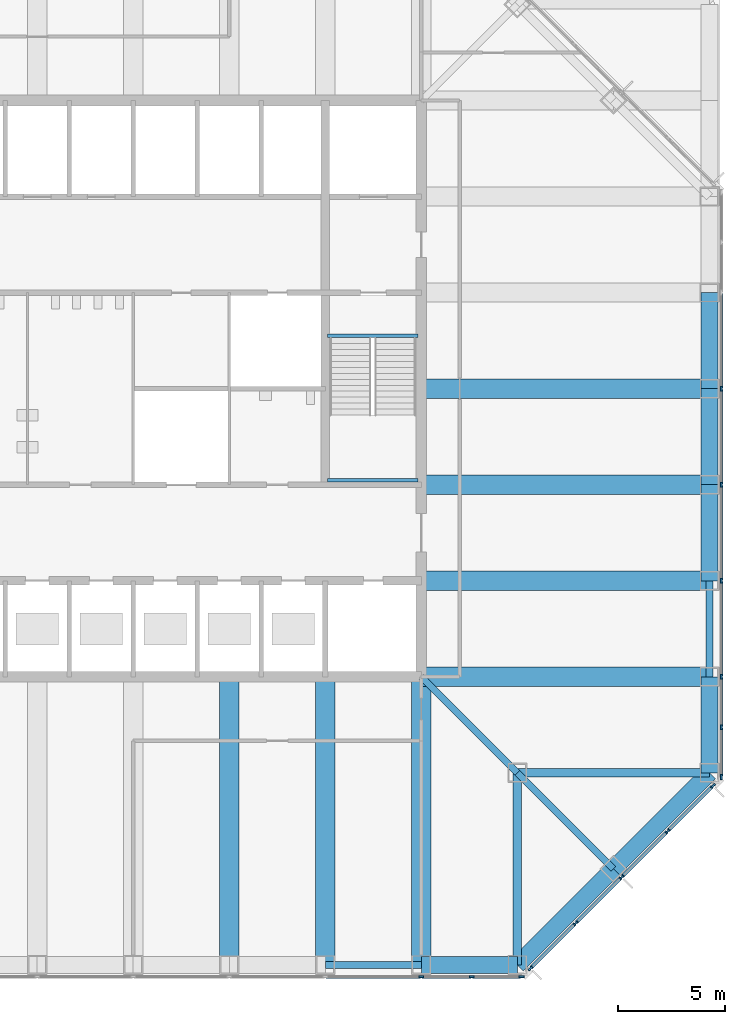
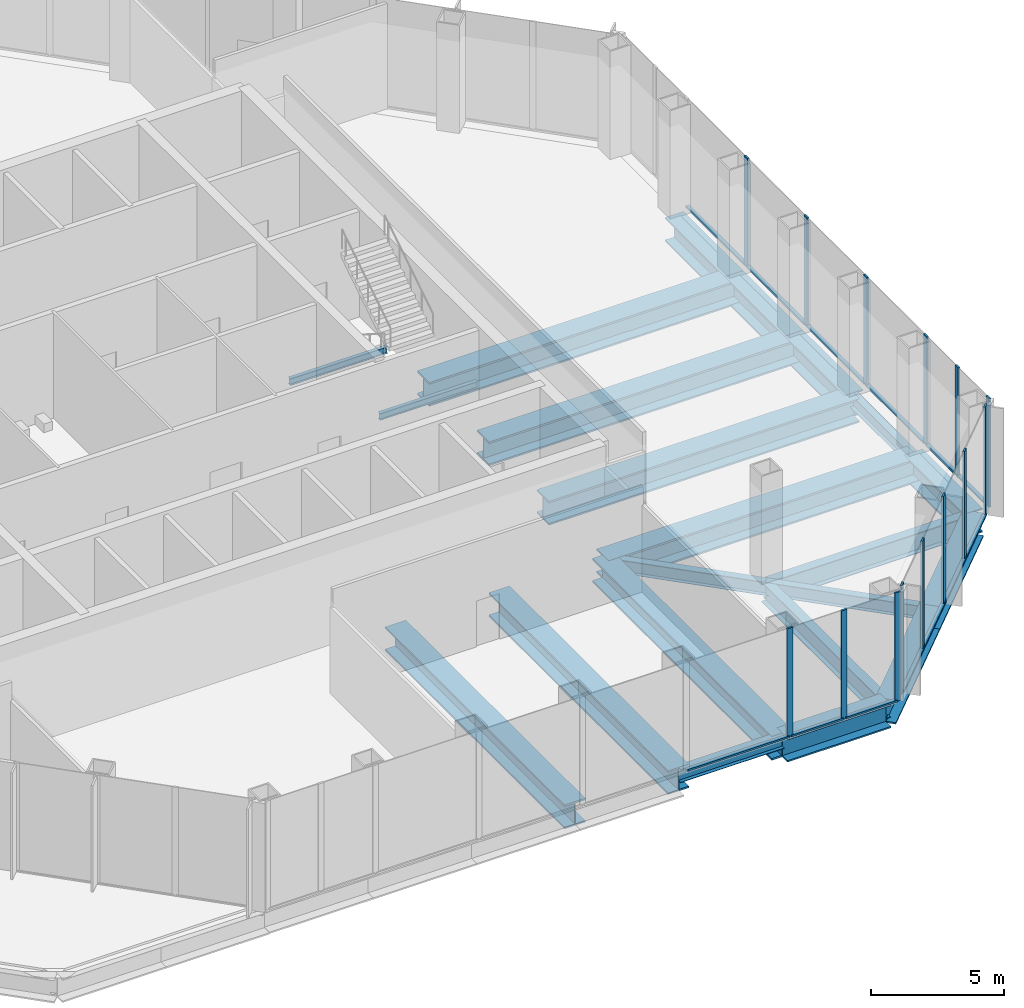
# One storey, part 3 of 12: 27 members, 22 beams, 3 elements without a shape of their own.
"""IFC4 building model written with IfcOpenShell, lengths in metres."""

from ifc_helpers import new_model, si_unit, direction, frame, origin, origin_2d, place, context, subcontext, project, spatial, rectangle, i_section, extrude, material, material_profile, profile_set, type_object, element, aggregate, save


model = new_model("IFC4")

# Units and contexts
model_context = context("Model", 3, precision=1e-05, world=origin(), true_north=direction((0.0, 1.0)))
body_context = subcontext(model_context, "Body", "Model", "MODEL_VIEW")
ifc_project = project(units=[si_unit("LENGTHUNIT", "METRE"), si_unit("AREAUNIT", "SQUARE_METRE"), si_unit("VOLUMEUNIT", "CUBIC_METRE"), si_unit("PLANEANGLEUNIT", "RADIAN"), si_unit("MASSUNIT", "GRAM", prefix="KILO")], contexts=[model_context])

# Site, building, storey
site_placement = place(None, origin())
site = spatial("IfcSite", under=ifc_project, at=site_placement, CompositionType="ELEMENT")
building_placement = place(site_placement, origin())
building = spatial("IfcBuilding", under=site, at=building_placement, Name="Corais Broadcast Tower", CompositionType="ELEMENT")
storey_placement = place(building_placement, frame((0.0, 0.0, 110.60009765625)))
storey = spatial("IfcBuildingStorey", under=building, at=storey_placement, Name="L24", CompositionType="ELEMENT", Elevation=110.60009765625)

# Beams
ifc_material_1 = material(Name="Steel ASTM A572 Grade 50", Category="steel")
ifc_material_profile_1 = material_profile(ifc_material_1, i_section(OverallWidth=0.323974609375, OverallDepth=0.611083984375, WebThickness=0.0126953125, FlangeThickness=0.01904296875, at=origin_2d()), Name="W610x155")
ifc_profile_set_1 = profile_set([ifc_material_profile_1], Name="Steel ASTM A572 Grade 50")
beam_type_1 = type_object("IfcBeamType", Name="Chamfer tie W610x155", PredefinedType="BEAM", material=ifc_profile_set_1)
beam_1_placement = place(storey_placement, frame((49.5, 4.5, -0.485595703125), z_axis=(-0.707106781187, 0.707106781187, 0.0), x_axis=(-0.707106781187, -0.707106781187, 0.0)))
element("IfcBeam", 1, at=beam_1_placement, inside=storey, type_object=beam_type_1, Name="B5 B/14 to C/13", PredefinedType="BEAM", context=body_context, shape_type="SweptSolid", body=[
    extrude(i_section(OverallWidth=0.323974609375, OverallDepth=0.611083984375, WebThickness=0.0126953125, FlangeThickness=0.01904296875, at=origin_2d()), origin(), (0.0, 0.0, 1.0), 6.364013671875),
])
ifc_material_2 = material(Name="Steel ASTM A572 Grade 50", Category="steel")
ifc_material_profile_2 = material_profile(ifc_material_2, i_section(OverallWidth=0.323974609375, OverallDepth=0.611083984375, WebThickness=0.0126953125, FlangeThickness=0.01904296875, at=origin_2d()), Name="W610x155")
ifc_profile_set_2 = profile_set([ifc_material_profile_2], Name="Steel ASTM A572 Grade 50")
beam_type_2 = type_object("IfcBeamType", Name="Corner diagonal W610x155", PredefinedType="BEAM", material=ifc_profile_set_2)
beam_2_placement = place(storey_placement, frame((45.0, 9.0, -0.485595703125), z_axis=(-0.707106781187, 0.707106781187, 0.0), x_axis=(-0.707106781187, -0.707106781187, 0.0)))
element("IfcBeam", 2, at=beam_2_placement, inside=storey, type_object=beam_type_2, Name="B6 C/13 to D/12", PredefinedType="BEAM", context=body_context, shape_type="SweptSolid", body=[
    extrude(i_section(OverallWidth=0.323974609375, OverallDepth=0.611083984375, WebThickness=0.0126953125, FlangeThickness=0.01904296875, at=origin_2d()), origin(), (0.0, 0.0, 1.0), 6.364013671875),
])
ifc_material_3 = material(Name="Steel ASTM A572 Grade 50", Category="steel")
ifc_material_profile_3 = material_profile(ifc_material_3, i_section(OverallWidth=0.1650390625, OverallDepth=0.31005859375, WebThickness=0.005859375, FlangeThickness=0.009765625, at=origin_2d()), Name="W310x38.7")
ifc_profile_set_3 = profile_set([ifc_material_profile_3], Name="Steel ASTM A572 Grade 50")
beam_type_3 = type_object("IfcBeamType", Name="Landing trimmer W310x38.7", PredefinedType="BEAM", material=ifc_profile_set_3)
for number, where, z_axis, x_axis, name in (
    (3, (36.10009765625, 29.47509765625, -0.35498046875), (1.0, 0.0, 0.0), (0.0, 1.0, 0.0), "LT1 stair B landing trimmer L24"),
    (4, (36.10009765625, 22.715087890625, 2.14501953125), (1.0, 0.0, 0.0), (0.0, 1.0, 0.0), "LT1 stair B half landing trimmer L24"),
):
    element("IfcBeam", number, at=place(storey_placement, frame(where, z_axis=z_axis, x_axis=x_axis)), inside=storey, type_object=beam_type_3, Name=name, PredefinedType="BEAM", context=body_context, shape_type="SweptSolid", body=[
        extrude(i_section(OverallWidth=0.1650390625, OverallDepth=0.31005859375, WebThickness=0.005859375, FlangeThickness=0.009765625, at=origin_2d()), origin(), (0.0, 0.0, 1.0), 4.25),
    ])

# Curtain wall, members
ifc_material_4 = material(Name="Aluminium and glass", Category="aluminium")
curtain_wall_type = type_object("IfcCurtainWallType", Name="Sky lobby curtain wall CW4", PredefinedType="NOTDEFINED", material=ifc_material_4)
curtain_wall_1_placement = place(storey_placement, origin())
curtain_wall_1 = element("IfcCurtainWall", 5, at=curtain_wall_1_placement, inside=storey, type_object=curtain_wall_type, Name="CW4 curtain wall L24 6", PredefinedType="NOTDEFINED")
ifc_material_5 = material(Name="Aluminium 6063-T6", Category="aluminium")
ifc_material_profile_4 = material_profile(ifc_material_5, rectangle(XDim=0.080078125, YDim=0.25, at=origin_2d()), Name="Mullion CW4 80x250")
ifc_profile_set_4 = profile_set([ifc_material_profile_4], Name="Aluminium 6063-T6")
member_type_1 = type_object("IfcMemberType", Name="Mullion CW4 80x250", PredefinedType="MULLION", material=ifc_profile_set_4)
member_1_placement = place(storey_placement, frame((54.550048828125, 27.0, 0.0), z_axis=(0.0, 0.0, 1.0), x_axis=(1.0, 0.0, 0.0)))
member_1 = element("IfcMember", 6, at=member_1_placement, type_object=member_type_1, Name="CW4 mullion 4", PredefinedType="MULLION", context=body_context, shape_type="SweptSolid", body=[
    extrude(rectangle(XDim=0.080078125, YDim=0.25, at=origin_2d()), origin(), (0.0, 0.0, 1.0), 5.0),
])
member_2_placement = place(storey_placement, frame((54.550048828125, 22.5, 0.0), z_axis=(0.0, 0.0, 1.0), x_axis=(1.0, 0.0, 0.0)))
member_2 = element("IfcMember", 7, at=member_2_placement, type_object=member_type_1, Name="CW4 mullion 5", PredefinedType="MULLION", context=body_context, shape_type="SweptSolid", body=[
    extrude(rectangle(XDim=0.080078125, YDim=0.25, at=origin_2d()), origin(), (0.0, 0.0, 1.0), 5.0),
])
member_3_placement = place(storey_placement, frame((54.550048828125, 18.0, 0.0), z_axis=(0.0, 0.0, 1.0), x_axis=(1.0, 0.0, 0.0)))
member_3 = element("IfcMember", 8, at=member_3_placement, type_object=member_type_1, Name="CW4 mullion 6", PredefinedType="MULLION", context=body_context, shape_type="SweptSolid", body=[
    extrude(rectangle(XDim=0.080078125, YDim=0.25, at=origin_2d()), origin(), (0.0, 0.0, 1.0), 5.0),
])
member_4_placement = place(storey_placement, frame((54.550048828125, 13.5, 0.0), z_axis=(0.0, 0.0, 1.0), x_axis=(1.0, 0.0, 0.0)))
member_4 = element("IfcMember", 9, at=member_4_placement, type_object=member_type_1, Name="CW4 mullion 7", PredefinedType="MULLION", context=body_context, shape_type="SweptSolid", body=[
    extrude(rectangle(XDim=0.080078125, YDim=0.25, at=origin_2d()), origin(), (0.0, 0.0, 1.0), 5.0),
])
member_5_placement = place(storey_placement, frame((54.550048828125, 11.135986328125, 0.0), z_axis=(0.0, 0.0, 1.0), x_axis=(1.0, 0.0, 0.0)))
member_5 = element("IfcMember", 10, at=member_5_placement, type_object=member_type_1, Name="CW4 mullion 8", PredefinedType="MULLION", context=body_context, shape_type="SweptSolid", body=[
    extrude(rectangle(XDim=0.080078125, YDim=0.25, at=origin_2d()), origin(), (0.0, 0.0, 1.0), 5.0),
])
member_6_placement = place(storey_placement, frame((54.550048828125, 8.812255859375, 0.0), z_axis=(0.0, 0.0, 1.0), x_axis=(1.0, 0.0, 0.0)))
member_6 = element("IfcMember", 11, at=member_6_placement, type_object=member_type_1, Name="CW4 mullion 9", PredefinedType="MULLION", context=body_context, shape_type="SweptSolid", body=[
    extrude(rectangle(XDim=0.080078125, YDim=0.25, at=origin_2d()), origin(), (0.0, 0.0, 1.0), 5.0),
])

curtain_wall_2_placement = place(storey_placement, origin())
curtain_wall_2 = element("IfcCurtainWall", 12, at=curtain_wall_2_placement, inside=storey, type_object=curtain_wall_type, Name="CW4 curtain wall L24 7", PredefinedType="NOTDEFINED")
member_7_placement = place(storey_placement, frame((54.168212890625, 8.390380859375, 0.0), z_axis=(0.0, 0.0, 1.0), x_axis=(0.707106781187, -0.707106781187, 0.0)))
member_7 = element("IfcMember", 13, at=member_7_placement, type_object=member_type_1, Name="CW4 mullion 1", PredefinedType="MULLION", context=body_context, shape_type="SweptSolid", body=[
    extrude(rectangle(XDim=0.080078125, YDim=0.25, at=origin_2d()), origin(), (0.0, 0.0, 1.0), 5.0),
])
member_8_placement = place(storey_placement, frame((52.042724609375, 6.264892578125, 0.0), z_axis=(0.0, 0.0, 1.0), x_axis=(0.707106781187, -0.707106781187, 0.0)))
member_8 = element("IfcMember", 14, at=member_8_placement, type_object=member_type_1, Name="CW4 mullion 2", PredefinedType="MULLION", context=body_context, shape_type="SweptSolid", body=[
    extrude(rectangle(XDim=0.080078125, YDim=0.25, at=origin_2d()), origin(), (0.0, 0.0, 1.0), 5.0),
])
member_9_placement = place(storey_placement, frame((49.888916015625, 4.111083984375, 0.0), z_axis=(0.0, 0.0, 1.0), x_axis=(0.707106781187, -0.707106781187, 0.0)))
member_9 = element("IfcMember", 15, at=member_9_placement, type_object=member_type_1, Name="CW4 mullion 3", PredefinedType="MULLION", context=body_context, shape_type="SweptSolid", body=[
    extrude(rectangle(XDim=0.080078125, YDim=0.25, at=origin_2d()), origin(), (0.0, 0.0, 1.0), 5.0),
])
member_10_placement = place(storey_placement, frame((47.735107421875, 1.957275390625, 0.0), z_axis=(0.0, 0.0, 1.0), x_axis=(0.707106781187, -0.707106781187, 0.0)))
member_10 = element("IfcMember", 16, at=member_10_placement, type_object=member_type_1, Name="CW4 mullion 4", PredefinedType="MULLION", context=body_context, shape_type="SweptSolid", body=[
    extrude(rectangle(XDim=0.080078125, YDim=0.25, at=origin_2d()), origin(), (0.0, 0.0, 1.0), 5.0),
])
member_11_placement = place(storey_placement, frame((45.609619140625, -0.168212890625, 0.0), z_axis=(0.0, 0.0, 1.0), x_axis=(0.707106781187, -0.707106781187, 0.0)))
member_11 = element("IfcMember", 17, at=member_11_placement, type_object=member_type_1, Name="CW4 mullion 5", PredefinedType="MULLION", context=body_context, shape_type="SweptSolid", body=[
    extrude(rectangle(XDim=0.080078125, YDim=0.25, at=origin_2d()), origin(), (0.0, 0.0, 1.0), 5.0),
])

curtain_wall_3_placement = place(storey_placement, origin())
curtain_wall_3 = element("IfcCurtainWall", 18, at=curtain_wall_3_placement, inside=storey, type_object=curtain_wall_type, Name="CW4 curtain wall L24 8", PredefinedType="NOTDEFINED")
member_12_placement = place(storey_placement, frame((45.187744140625, -0.550048828125, 0.0), z_axis=(0.0, 0.0, 1.0), x_axis=(0.0, -1.0, 0.0)))
member_12 = element("IfcMember", 19, at=member_12_placement, type_object=member_type_1, Name="CW4 mullion 1", PredefinedType="MULLION", context=body_context, shape_type="SweptSolid", body=[
    extrude(rectangle(XDim=0.080078125, YDim=0.25, at=origin_2d()), origin(), (0.0, 0.0, 1.0), 5.0),
])
member_13_placement = place(storey_placement, frame((42.864013671875, -0.550048828125, 0.0), z_axis=(0.0, 0.0, 1.0), x_axis=(0.0, -1.0, 0.0)))
member_13 = element("IfcMember", 20, at=member_13_placement, type_object=member_type_1, Name="CW4 mullion 2", PredefinedType="MULLION", context=body_context, shape_type="SweptSolid", body=[
    extrude(rectangle(XDim=0.080078125, YDim=0.25, at=origin_2d()), origin(), (0.0, 0.0, 1.0), 5.0),
])
member_14_placement = place(storey_placement, frame((40.5, -0.550048828125, 0.0), z_axis=(0.0, 0.0, 1.0), x_axis=(0.0, -1.0, 0.0)))
member_14 = element("IfcMember", 21, at=member_14_placement, type_object=member_type_1, Name="CW4 mullion 3", PredefinedType="MULLION", context=body_context, shape_type="SweptSolid", body=[
    extrude(rectangle(XDim=0.080078125, YDim=0.25, at=origin_2d()), origin(), (0.0, 0.0, 1.0), 5.0),
])

# Beams
ifc_material_6 = material(Name="Steel ASTM A572 Grade 50", Category="steel")
ifc_material_profile_5 = material_profile(ifc_material_6, i_section(OverallWidth=0.323974609375, OverallDepth=0.611083984375, WebThickness=0.0126953125, FlangeThickness=0.01904296875, at=origin_2d()), Name="W610x155")
ifc_profile_set_5 = profile_set([ifc_material_profile_5], Name="Steel ASTM A572 Grade 50")
beam_type_4 = type_object("IfcBeamType", Name="Pinned spandrel W610x155", PredefinedType="BEAM", material=ifc_profile_set_5)
for number, where, z_axis, x_axis, name in (
    (22, (36.0, 0.0, -0.485595703125), (1.0, 0.0, 0.0), (0.0, 1.0, 0.0), "SB6 A/11 to A/12"),
    (23, (54.0, 13.5, -0.485595703125), (0.0, 1.0, 0.0), (-1.0, 0.0, 0.0), "SB6 D/15 to E/15"),
):
    element("IfcBeam", number, at=place(storey_placement, frame(where, z_axis=z_axis, x_axis=x_axis)), inside=storey, type_object=beam_type_4, Name=name, PredefinedType="BEAM", context=body_context, shape_type="SweptSolid", body=[
        extrude(i_section(OverallWidth=0.323974609375, OverallDepth=0.611083984375, WebThickness=0.0126953125, FlangeThickness=0.01904296875, at=origin_2d()), origin(), (0.0, 0.0, 1.0), 4.5),
    ])
ifc_material_7 = material(Name="Steel ASTM A572 Grade 50", Category="steel")
ifc_material_profile_6 = material_profile(ifc_material_7, i_section(OverallWidth=0.408935546875, OverallDepth=0.927001953125, WebThickness=0.0166015625, FlangeThickness=0.030029296875, at=origin_2d()), Name="W920x289")
ifc_profile_set_6 = profile_set([ifc_material_profile_6], Name="Steel ASTM A572 Grade 50")
beam_type_5 = type_object("IfcBeamType", Name="Transfer corner girder W920x289", PredefinedType="BEAM", material=ifc_profile_set_6)
for number, where, z_axis, x_axis, name in (
    (24, (45.0, 0.0, -0.6435546875), (0.0, 1.0, 0.0), (-1.0, 0.0, 0.0), "B14 A/13 to C/13"),
    (25, (54.0, 9.0, -0.6435546875), (-1.0, 0.0, 0.0), (0.0, -1.0, 0.0), "B14 C/15 to C/13"),
):
    element("IfcBeam", number, at=place(storey_placement, frame(where, z_axis=z_axis, x_axis=x_axis)), inside=storey, type_object=beam_type_5, Name=name, PredefinedType="BEAM", context=body_context, shape_type="SweptSolid", body=[
        extrude(i_section(OverallWidth=0.408935546875, OverallDepth=0.927001953125, WebThickness=0.0166015625, FlangeThickness=0.030029296875, at=origin_2d()), origin(), (0.0, 0.0, 1.0), 9.0),
    ])
ifc_material_8 = material(Name="Steel ASTM A572 Grade 50", Category="steel")
ifc_material_profile_7 = material_profile(ifc_material_8, i_section(OverallWidth=0.89990234375, OverallDepth=1.10009765625, WebThickness=0.030029296875, FlangeThickness=0.080078125, at=origin_2d()), Name="PG1100x1352")
ifc_profile_set_7 = profile_set([ifc_material_profile_7], Name="Steel ASTM A572 Grade 50")
beam_type_6 = type_object("IfcBeamType", Name="Transfer floor beam PG1100x1352", PredefinedType="BEAM", material=ifc_profile_set_7)
for number, where, z_axis, x_axis, name in (
    (26, (31.5, 0.0, -0.72998046875), (0.0, 1.0, 0.0), (-1.0, 0.0, 0.0), "B10 A/10 to D/10"),
    (27, (36.0, 0.0, -0.72998046875), (0.0, 1.0, 0.0), (-1.0, 0.0, 0.0), "B10 A/11 to D/11"),
    (28, (40.5, 0.0, -0.72998046875), (0.0, 1.0, 0.0), (-1.0, 0.0, 0.0), "B10 A/12 to D/12"),
    (29, (54.0, 13.5, -0.72998046875), (-1.0, 0.0, 0.0), (0.0, -1.0, 0.0), "B10 D/15 to D/12"),
    (30, (54.0, 18.0, -0.72998046875), (-1.0, 0.0, 0.0), (0.0, -1.0, 0.0), "B10 E/15 to E/12"),
    (31, (54.0, 22.5, -0.72998046875), (-1.0, 0.0, 0.0), (0.0, -1.0, 0.0), "B10 F/15 to F/12"),
    (32, (54.0, 27.0, -0.72998046875), (-1.0, 0.0, 0.0), (0.0, -1.0, 0.0), "B10 G/15 to G/12"),
):
    element("IfcBeam", number, at=place(storey_placement, frame(where, z_axis=z_axis, x_axis=x_axis)), inside=storey, type_object=beam_type_6, Name=name, PredefinedType="BEAM", context=body_context, shape_type="SweptSolid", body=[
        extrude(i_section(OverallWidth=0.89990234375, OverallDepth=1.10009765625, WebThickness=0.030029296875, FlangeThickness=0.080078125, at=origin_2d()), origin(), (0.0, 0.0, 1.0), 13.5),
    ])
ifc_material_9 = material(Name="Steel ASTM A572 Grade 50", Category="steel")
ifc_material_profile_8 = material_profile(ifc_material_9, i_section(OverallWidth=0.800048828125, OverallDepth=1.10009765625, WebThickness=0.030029296875, FlangeThickness=0.070068359375, at=origin_2d()), Name="PG1100x1105")
ifc_profile_set_8 = profile_set([ifc_material_profile_8], Name="Steel ASTM A572 Grade 50")
beam_type_7 = type_object("IfcBeamType", Name="Transfer spandrel PG1100x1105", PredefinedType="BEAM", material=ifc_profile_set_8)
beam_3_placement = place(storey_placement, frame((40.5, 0.0, -0.72998046875), z_axis=(1.0, 0.0, 0.0), x_axis=(0.0, 1.0, 0.0)))
element("IfcBeam", 33, at=beam_3_placement, inside=storey, type_object=beam_type_7, Name="SB8 A/12 to A/13", PredefinedType="BEAM", context=body_context, shape_type="SweptSolid", body=[
    extrude(i_section(OverallWidth=0.800048828125, OverallDepth=1.10009765625, WebThickness=0.030029296875, FlangeThickness=0.070068359375, at=origin_2d()), origin(), (0.0, 0.0, 1.0), 4.5),
])
for number, where, z_axis, x_axis, name in (
    (34, (45.0, 0.0, -0.72998046875), (0.707106781187, 0.707106781187, 0.0), (-0.707106781187, 0.707106781187, 0.0), "SB8 A/13 to B/14"),
    (35, (49.5, 4.5, -0.72998046875), (0.707106781187, 0.707106781187, 0.0), (-0.707106781187, 0.707106781187, 0.0), "SB8 B/14 to C/15"),
):
    element("IfcBeam", number, at=place(storey_placement, frame(where, z_axis=z_axis, x_axis=x_axis)), inside=storey, type_object=beam_type_7, Name=name, PredefinedType="BEAM", context=body_context, shape_type="SweptSolid", body=[
        extrude(i_section(OverallWidth=0.800048828125, OverallDepth=1.10009765625, WebThickness=0.030029296875, FlangeThickness=0.070068359375, at=origin_2d()), origin(), (0.0, 0.0, 1.0), 6.364013671875),
    ])
for number, where, z_axis, x_axis, name in (
    (36, (54.0, 18.0, -0.72998046875), (0.0, 1.0, 0.0), (-1.0, 0.0, 0.0), "SB8 E/15 to F/15"),
    (37, (54.0, 22.5, -0.72998046875), (0.0, 1.0, 0.0), (-1.0, 0.0, 0.0), "SB8 F/15 to G/15"),
    (38, (54.0, 27.0, -0.72998046875), (0.0, 1.0, 0.0), (-1.0, 0.0, 0.0), "SB8 G/15 to H/15"),
    (39, (54.0, 9.0, -0.72998046875), (0.0, 1.0, 0.0), (-1.0, 0.0, 0.0), "SB8 C/15 to D/15"),
):
    element("IfcBeam", number, at=place(storey_placement, frame(where, z_axis=z_axis, x_axis=x_axis)), inside=storey, type_object=beam_type_7, Name=name, PredefinedType="BEAM", context=body_context, shape_type="SweptSolid", body=[
        extrude(i_section(OverallWidth=0.800048828125, OverallDepth=1.10009765625, WebThickness=0.030029296875, FlangeThickness=0.070068359375, at=origin_2d()), origin(), (0.0, 0.0, 1.0), 4.5),
    ])

# Member
ifc_material_10 = material(Name="Aluminium 6063-T6", Category="aluminium")
ifc_material_profile_9 = material_profile(ifc_material_10, rectangle(XDim=0.159912109375, YDim=0.080078125, at=origin_2d()), Name="Transom CW4 80x160")
ifc_profile_set_9 = profile_set([ifc_material_profile_9], Name="Aluminium 6063-T6")
member_type_2 = type_object("IfcMemberType", Name="Transom CW4 80x160", PredefinedType="USERDEFINED", material=ifc_profile_set_9)
member_15_placement = place(storey_placement, frame((54.550048828125, 31.4599609375, 0.039794921875), z_axis=(0.0, -1.0, 0.0), x_axis=(1.0, 0.0, 0.0)))
member_15 = element("IfcMember", 40, at=member_15_placement, type_object=member_type_2, Name="CW4 transom 3.1", ObjectType="TRANSOM", PredefinedType="USERDEFINED", context=body_context, shape_type="SweptSolid", body=[
    extrude(rectangle(XDim=0.159912109375, YDim=0.080078125, at=origin_2d()), origin(), (0.0, 0.0, 1.0), 4.419921875),
])

member_16_placement = place(storey_placement, frame((54.550048828125, 26.9599609375, 0.039794921875), z_axis=(0.0, -1.0, 0.0), x_axis=(1.0, 0.0, 0.0)))
member_16 = element("IfcMember", 41, at=member_16_placement, type_object=member_type_2, Name="CW4 transom 4.1", ObjectType="TRANSOM", PredefinedType="USERDEFINED", context=body_context, shape_type="SweptSolid", body=[
    extrude(rectangle(XDim=0.159912109375, YDim=0.080078125, at=origin_2d()), origin(), (0.0, 0.0, 1.0), 4.419921875),
])

member_17_placement = place(storey_placement, frame((54.550048828125, 22.4599609375, 0.039794921875), z_axis=(0.0, -1.0, 0.0), x_axis=(1.0, 0.0, 0.0)))
member_17 = element("IfcMember", 42, at=member_17_placement, type_object=member_type_2, Name="CW4 transom 5.1", ObjectType="TRANSOM", PredefinedType="USERDEFINED", context=body_context, shape_type="SweptSolid", body=[
    extrude(rectangle(XDim=0.159912109375, YDim=0.080078125, at=origin_2d()), origin(), (0.0, 0.0, 1.0), 4.419921875),
])

member_18_placement = place(storey_placement, frame((54.550048828125, 17.9599609375, 0.039794921875), z_axis=(0.0, -1.0, 0.0), x_axis=(1.0, 0.0, 0.0)))
member_18 = element("IfcMember", 43, at=member_18_placement, type_object=member_type_2, Name="CW4 transom 6.1", ObjectType="TRANSOM", PredefinedType="USERDEFINED", context=body_context, shape_type="SweptSolid", body=[
    extrude(rectangle(XDim=0.159912109375, YDim=0.080078125, at=origin_2d()), origin(), (0.0, 0.0, 1.0), 4.419921875),
])

member_19_placement = place(storey_placement, frame((54.550048828125, 13.4599609375, 0.039794921875), z_axis=(0.0, -1.0, 0.0), x_axis=(1.0, 0.0, 0.0)))
member_19 = element("IfcMember", 44, at=member_19_placement, type_object=member_type_2, Name="CW4 transom 7.1", ObjectType="TRANSOM", PredefinedType="USERDEFINED", context=body_context, shape_type="SweptSolid", body=[
    extrude(rectangle(XDim=0.159912109375, YDim=0.080078125, at=origin_2d()), origin(), (0.0, 0.0, 1.0), 2.283935546875),
])

member_20_placement = place(storey_placement, frame((54.550048828125, 11.09619140625, 0.039794921875), z_axis=(0.0, -1.0, 0.0), x_axis=(1.0, 0.0, 0.0)))
member_20 = element("IfcMember", 45, at=member_20_placement, type_object=member_type_2, Name="CW4 transom 8.1", ObjectType="TRANSOM", PredefinedType="USERDEFINED", context=body_context, shape_type="SweptSolid", body=[
    extrude(rectangle(XDim=0.159912109375, YDim=0.080078125, at=origin_2d()), origin(), (0.0, 0.0, 1.0), 2.243896484375),
])

aggregate(curtain_wall_1, [member_1, member_2, member_3, member_4, member_5, member_6, member_15, member_16, member_17, member_18, member_19, member_20])

member_21_placement = place(storey_placement, frame((54.139892578125, 8.362060546875, 0.039794921875), z_axis=(-0.707106781187, -0.707106781187, 0.0), x_axis=(0.707106781187, -0.707106781187, 0.0)))
member_21 = element("IfcMember", 46, at=member_21_placement, type_object=member_type_2, Name="CW4 transom 1.1", ObjectType="TRANSOM", PredefinedType="USERDEFINED", context=body_context, shape_type="SweptSolid", body=[
    extrude(rectangle(XDim=0.159912109375, YDim=0.080078125, at=origin_2d()), origin(), (0.0, 0.0, 1.0), 2.92578125),
])

member_22_placement = place(storey_placement, frame((52.014404296875, 6.236572265625, 0.039794921875), z_axis=(-0.707106781187, -0.707106781187, 0.0), x_axis=(0.707106781187, -0.707106781187, 0.0)))
member_22 = element("IfcMember", 47, at=member_22_placement, type_object=member_type_2, Name="CW4 transom 2.1", ObjectType="TRANSOM", PredefinedType="USERDEFINED", context=body_context, shape_type="SweptSolid", body=[
    extrude(rectangle(XDim=0.159912109375, YDim=0.080078125, at=origin_2d()), origin(), (0.0, 0.0, 1.0), 2.9658203125),
])

member_23_placement = place(storey_placement, frame((49.860595703125, 4.082763671875, 0.039794921875), z_axis=(-0.707106781187, -0.707106781187, 0.0), x_axis=(0.707106781187, -0.707106781187, 0.0)))
member_23 = element("IfcMember", 48, at=member_23_placement, type_object=member_type_2, Name="CW4 transom 3.1", ObjectType="TRANSOM", PredefinedType="USERDEFINED", context=body_context, shape_type="SweptSolid", body=[
    extrude(rectangle(XDim=0.159912109375, YDim=0.080078125, at=origin_2d()), origin(), (0.0, 0.0, 1.0), 2.9658203125),
])

member_24_placement = place(storey_placement, frame((47.706787109375, 1.928955078125, 0.039794921875), z_axis=(-0.707106781187, -0.707106781187, 0.0), x_axis=(0.707106781187, -0.707106781187, 0.0)))
member_24 = element("IfcMember", 49, at=member_24_placement, type_object=member_type_2, Name="CW4 transom 4.1", ObjectType="TRANSOM", PredefinedType="USERDEFINED", context=body_context, shape_type="SweptSolid", body=[
    extrude(rectangle(XDim=0.159912109375, YDim=0.080078125, at=origin_2d()), origin(), (0.0, 0.0, 1.0), 2.92578125),
])

aggregate(curtain_wall_2, [member_7, member_8, member_9, member_10, member_11, member_21, member_22, member_23, member_24])

member_25_placement = place(storey_placement, frame((45.147705078125, -0.550048828125, 0.039794921875), z_axis=(-1.0, 0.0, 0.0), x_axis=(0.0, -1.0, 0.0)))
member_25 = element("IfcMember", 50, at=member_25_placement, type_object=member_type_2, Name="CW4 transom 1.1", ObjectType="TRANSOM", PredefinedType="USERDEFINED", context=body_context, shape_type="SweptSolid", body=[
    extrude(rectangle(XDim=0.159912109375, YDim=0.080078125, at=origin_2d()), origin(), (0.0, 0.0, 1.0), 2.243896484375),
])

member_26_placement = place(storey_placement, frame((42.823974609375, -0.550048828125, 0.039794921875), z_axis=(-1.0, 0.0, 0.0), x_axis=(0.0, -1.0, 0.0)))
member_26 = element("IfcMember", 51, at=member_26_placement, type_object=member_type_2, Name="CW4 transom 2.1", ObjectType="TRANSOM", PredefinedType="USERDEFINED", context=body_context, shape_type="SweptSolid", body=[
    extrude(rectangle(XDim=0.159912109375, YDim=0.080078125, at=origin_2d()), origin(), (0.0, 0.0, 1.0), 2.283935546875),
])

member_27_placement = place(storey_placement, frame((40.4599609375, -0.550048828125, 0.039794921875), z_axis=(-1.0, 0.0, 0.0), x_axis=(0.0, -1.0, 0.0)))
member_27 = element("IfcMember", 52, at=member_27_placement, type_object=member_type_2, Name="CW4 transom 3.1", ObjectType="TRANSOM", PredefinedType="USERDEFINED", context=body_context, shape_type="SweptSolid", body=[
    extrude(rectangle(XDim=0.159912109375, YDim=0.080078125, at=origin_2d()), origin(), (0.0, 0.0, 1.0), 4.419921875),
])

aggregate(curtain_wall_3, [member_12, member_13, member_14, member_25, member_26, member_27])

save(model, "model.ifc")
